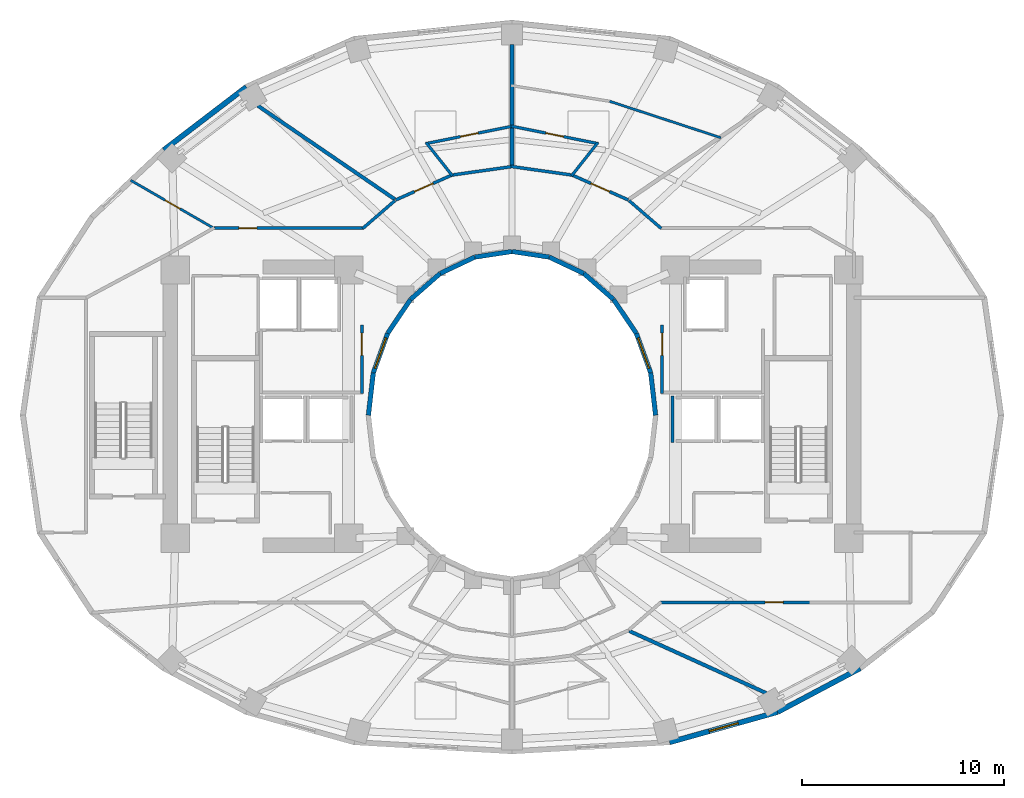
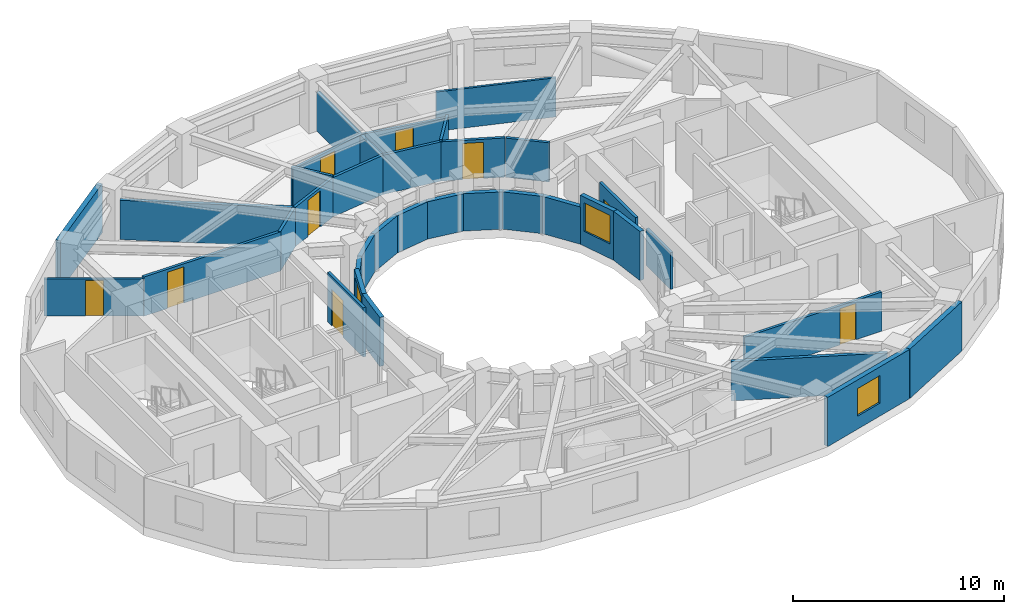
# One storey, part 5 of 9: 35 walls, 9 doors, 3 windows, 12 openings.
"""IFC4 building model written with IfcOpenShell, lengths in metres."""

from ifc_helpers import new_model, si_unit, direction, frame, frame_2d, origin, place, context, subcontext, project, spatial, rectangle, extrude, material, layer, layer_set, type_object, element, fill, save


model = new_model("IFC4")

# Units and contexts
model_context = context("Model", 3, precision=1e-05, world=origin(), true_north=direction((0.0, 1.0)))
body_context = subcontext(model_context, "Body", "Model", "MODEL_VIEW")
ifc_project = project(units=[si_unit("LENGTHUNIT", "METRE"), si_unit("AREAUNIT", "SQUARE_METRE"), si_unit("VOLUMEUNIT", "CUBIC_METRE"), si_unit("PLANEANGLEUNIT", "RADIAN"), si_unit("MASSUNIT", "GRAM", prefix="KILO")], contexts=[model_context])

# Site, building, storey
site_placement = place(None, origin())
site = spatial("IfcSite", under=ifc_project, at=site_placement, CompositionType="ELEMENT")
building_placement = place(site_placement, origin())
building = spatial("IfcBuilding", under=site, at=building_placement, Name="Solvane Sanctuary Tower", CompositionType="ELEMENT")
storey_placement = place(building_placement, frame((0.0, 0.0, 113.5)))
storey = spatial("IfcBuildingStorey", under=building, at=storey_placement, Name="L34", CompositionType="ELEMENT", Elevation=113.5)

# Wall, opening, door
ifc_material_1 = material(Name="Acoustic Gypsum Partition Board")
ifc_layer_1 = layer(ifc_material_1, 0.14990234375, Name="Acoustic Gypsum Partition Board")
ifc_layer_set_1 = layer_set([ifc_layer_1], Name="Acoustic Gypsum Partition Board")
wall_type_1 = type_object("IfcWallType", Name="Wall W-CORR-150", PredefinedType="PARTITIONING", material=ifc_layer_set_1)
wall_1_placement = place(storey_placement, frame((24.550048828125, 24.080078125, 0.0), z_axis=(0.0, 0.0, 1.0), x_axis=(0.0, 1.0, 0.0)))
wall_1 = element("IfcWall", 1, at=wall_1_placement, inside=storey, type_object=wall_type_1, Name="L34 West Firefighting Lobby East Wall", PredefinedType="PARTITIONING", context=body_context, shape_type="SweptSolid", body=[
    extrude(rectangle(XDim=3.39990234375, YDim=0.14990234375, at=frame_2d((1.699951171875, 0.0))), origin(), (0.0, 0.0, 1.0), 2.85498046875),
])
opening_1_placement = place(wall_1_placement, frame((1.893798828125, 0.0, 0.0)))
opening_1 = element("IfcOpeningElement", 2, at=opening_1_placement, cuts=wall_1, Name="Opening D-L34-04", PredefinedType="OPENING", context=body_context, shape_type="SweptSolid", body=[
    extrude(rectangle(XDim=1.10009765625, YDim=2.10009765625, at=frame_2d((0.550048828125, 1.050048828125))), frame((0.0, 0.0849609375, 0.0), z_axis=(0.0, -1.0, 0.0), x_axis=(1.0, 0.0, 0.0)), (0.0, 0.0, 1.0), 0.169921875),
])
ifc_material_2 = material(Name="Architectural Stainless Steel 316", Category="steel")
door_type_1 = type_object("IfcDoorType", Name="Door D-FFL", OperationType="NOTDEFINED", PredefinedType="DOOR", material=ifc_material_2)
door_1_placement = place(opening_1_placement, origin())
door_1 = element("IfcDoor", 3, at=door_1_placement, inside=storey, type_object=door_type_1, Name="L34 West Firefighting Lobby Fire Door", OperationType="SINGLE_SWING_LEFT", OverallHeight=2.10009765625, OverallWidth=1.10009765625, PredefinedType="DOOR", context=body_context, shape_type="SweptSolid", body=[
    extrude(rectangle(XDim=1.10009765625, YDim=2.10009765625, at=frame_2d((0.550048828125, 1.050048828125))), frame((0.0, 0.02490234375, 0.0), z_axis=(0.0, -1.0, 0.0), x_axis=(1.0, 0.0, 0.0)), (0.0, 0.0, 1.0), 0.050048828125),
])
fill(opening_1, door_1)

wall_2_placement = place(storey_placement, frame((39.449951171875, 24.080078125, 0.0), z_axis=(0.0, 0.0, 1.0), x_axis=(0.0, 1.0, 0.0)))
wall_2 = element("IfcWall", 4, at=wall_2_placement, inside=storey, type_object=wall_type_1, Name="L34 East Firefighting Lobby West Wall", PredefinedType="PARTITIONING", context=body_context, shape_type="SweptSolid", body=[
    extrude(rectangle(XDim=3.39990234375, YDim=0.14990234375, at=frame_2d((1.699951171875, 0.0))), origin(), (0.0, 0.0, 1.0), 2.85498046875),
])
opening_2_placement = place(wall_2_placement, frame((1.893798828125, 0.0, 0.0)))
opening_2 = element("IfcOpeningElement", 5, at=opening_2_placement, cuts=wall_2, Name="Opening D-L34-05", PredefinedType="OPENING", context=body_context, shape_type="SweptSolid", body=[
    extrude(rectangle(XDim=1.10009765625, YDim=2.10009765625, at=frame_2d((0.550048828125, 1.050048828125))), frame((0.0, 0.0849609375, 0.0), z_axis=(0.0, -1.0, 0.0), x_axis=(1.0, 0.0, 0.0)), (0.0, 0.0, 1.0), 0.169921875),
])
door_2_placement = place(opening_2_placement, origin())
door_2 = element("IfcDoor", 6, at=door_2_placement, inside=storey, type_object=door_type_1, Name="L34 East Firefighting Lobby Fire Door", OperationType="SINGLE_SWING_RIGHT", OverallHeight=2.10009765625, OverallWidth=1.10009765625, PredefinedType="DOOR", context=body_context, shape_type="SweptSolid", body=[
    extrude(rectangle(XDim=1.10009765625, YDim=2.10009765625, at=frame_2d((0.550048828125, 1.050048828125))), frame((0.0, 0.02490234375, 0.0), z_axis=(0.0, -1.0, 0.0), x_axis=(1.0, 0.0, 0.0)), (0.0, 0.0, 1.0), 0.050048828125),
])
fill(opening_2, door_2)

# Walls
for number, where, z_axis, x_axis, name in (
    (7, (37.806640625, 33.64208984375, 0.0), (0.0, 0.0, 1.0), (0.756055312247, -0.654507727092, 0.0), "L34 NE Corner Throat Wall"),
    (8, (26.193359375, 33.64208984375, 0.0), (0.0, 0.0, 1.0), (-0.756055312247, -0.654507727092, 0.0), "L34 NW Corner Throat Wall"),
):
    element("IfcWall", number, at=place(storey_placement, frame(where, z_axis=z_axis, x_axis=x_axis)), inside=storey, type_object=wall_type_1, Name=name, PredefinedType="PARTITIONING", context=body_context, shape_type="SweptSolid", body=[
        extrude(rectangle(XDim=2.11083984375, YDim=0.14990234375, at=frame_2d((1.055419921875, 0.0))), origin(), (0.0, 0.0, 1.0), 2.27197265625),
    ])

# Wall, opening, door
wall_3_placement = place(storey_placement, frame((17.14990234375, 32.280029296875, 0.0), z_axis=(0.0, 0.0, 1.0), x_axis=(1.0, 0.0, 0.0)))
wall_3 = element("IfcWall", 9, at=wall_3_placement, inside=storey, type_object=wall_type_1, Name="L34 NW Corner Corridor Wall", PredefinedType="PARTITIONING", context=body_context, shape_type="SweptSolid", body=[
    extrude(rectangle(XDim=7.52001953125, YDim=0.14990234375, at=frame_2d((3.760009765625, 0.0))), origin(), (0.0, 0.0, 1.0), 2.27197265625),
])
opening_3_placement = place(wall_3_placement, frame((1.300048828125, 0.0, 0.0)))
opening_3 = element("IfcOpeningElement", 10, at=opening_3_placement, cuts=wall_3, Name="Opening D-L34-14", PredefinedType="OPENING", context=body_context, shape_type="SweptSolid", body=[
    extrude(rectangle(XDim=0.89990234375, YDim=2.10009765625, at=frame_2d((0.449951171875, 1.050048828125))), frame((0.0, 0.0849609375, 0.0), z_axis=(0.0, -1.0, 0.0), x_axis=(1.0, 0.0, 0.0)), (0.0, 0.0, 1.0), 0.169921875),
])
ifc_material_3 = material(Name="Engineered Tropical Hardwood", Category="wood")
door_type_2 = type_object("IfcDoorType", Name="Door D-WET-900", OperationType="NOTDEFINED", PredefinedType="DOOR", material=ifc_material_3)
door_3_placement = place(opening_3_placement, origin())
door_3 = element("IfcDoor", 11, at=door_3_placement, inside=storey, type_object=door_type_2, Name="L34 NW Corner Salon Door", OperationType="SINGLE_SWING_LEFT", OverallHeight=2.10009765625, OverallWidth=0.89990234375, PredefinedType="DOOR", context=body_context, shape_type="SweptSolid", body=[
    extrude(rectangle(XDim=0.89990234375, YDim=2.10009765625, at=frame_2d((0.449951171875, 1.050048828125))), frame((0.0, 0.02490234375, 0.0), z_axis=(0.0, -1.0, 0.0), x_axis=(1.0, 0.0, 0.0)), (0.0, 0.0, 1.0), 0.050048828125),
])
fill(opening_3, door_3)

wall_4_placement = place(storey_placement, frame((39.330078125, 13.719970703125, 0.0), z_axis=(0.0, 0.0, 1.0), x_axis=(1.0, 0.0, 0.0)))
wall_4 = element("IfcWall", 12, at=wall_4_placement, inside=storey, type_object=wall_type_1, Name="L34 SE Corner Corridor Wall", PredefinedType="PARTITIONING", context=body_context, shape_type="SweptSolid", body=[
    extrude(rectangle(XDim=7.52001953125, YDim=0.14990234375, at=frame_2d((3.760009765625, 0.0))), origin(), (0.0, 0.0, 1.0), 2.27197265625),
])
opening_4_placement = place(wall_4_placement, frame((5.219970703125, 0.0, 0.0)))
opening_4 = element("IfcOpeningElement", 13, at=opening_4_placement, cuts=wall_4, Name="Opening D-L34-16", PredefinedType="OPENING", context=body_context, shape_type="SweptSolid", body=[
    extrude(rectangle(XDim=0.89990234375, YDim=2.10009765625, at=frame_2d((0.449951171875, 1.050048828125))), frame((0.0, 0.0849609375, 0.0), z_axis=(0.0, -1.0, 0.0), x_axis=(1.0, 0.0, 0.0)), (0.0, 0.0, 1.0), 0.169921875),
])
door_4_placement = place(opening_4_placement, origin())
door_4 = element("IfcDoor", 14, at=door_4_placement, inside=storey, type_object=door_type_2, Name="L34 SE Corner Salon Door", OperationType="SINGLE_SWING_LEFT", OverallHeight=2.10009765625, OverallWidth=0.89990234375, PredefinedType="DOOR", context=body_context, shape_type="SweptSolid", body=[
    extrude(rectangle(XDim=0.89990234375, YDim=2.10009765625, at=frame_2d((0.449951171875, 1.050048828125))), frame((0.0, 0.02490234375, 0.0), z_axis=(0.0, -1.0, 0.0), x_axis=(1.0, 0.0, 0.0)), (0.0, 0.0, 1.0), 0.050048828125),
])
fill(opening_4, door_4)

# Wall
wall_5_placement = place(storey_placement, frame((35.03369140625, 34.90283203125, 0.0), z_axis=(0.0, 0.0, 1.0), x_axis=(-0.990234434447, 0.139412211929, 0.0)))
element("IfcWall", 15, at=wall_5_placement, inside=storey, type_object=wall_type_1, Name="L34 En-suite Inner Wall N1", PredefinedType="PARTITIONING", context=body_context, shape_type="SweptSolid", body=[
    extrude(rectangle(XDim=3.11376953125, YDim=0.14990234375, at=frame_2d((1.556884765625, 0.0))), origin(), (0.0, 0.0, 1.0), 2.27197265625),
])

# Wall, opening, door
wall_6_placement = place(storey_placement, frame((37.77197265625, 33.673828125, 0.0), z_axis=(0.0, 0.0, 1.0), x_axis=(-0.914324470734, 0.404982422108, 0.0)))
wall_6 = element("IfcWall", 16, at=wall_6_placement, inside=storey, type_object=wall_type_1, Name="L34 Unit Corridor Wall N1", PredefinedType="PARTITIONING", context=body_context, shape_type="SweptSolid", body=[
    extrude(rectangle(XDim=3.0576171875, YDim=0.14990234375, at=frame_2d((1.52880859375, 0.0))), origin(), (0.0, 0.0, 1.0), 2.27197265625),
])
opening_5_placement = place(wall_6_placement, frame((1.02880859375, 0.0, 0.0)))
opening_5 = element("IfcOpeningElement", 17, at=opening_5_placement, cuts=wall_6, Name="Opening D-L34-21", PredefinedType="OPENING", context=body_context, shape_type="SweptSolid", body=[
    extrude(rectangle(XDim=1.0, YDim=2.10009765625, at=frame_2d((0.5, 1.050048828125))), frame((0.0, 0.0849609375, 0.0), z_axis=(0.0, -1.0, 0.0), x_axis=(1.0, 0.0, 0.0)), (0.0, 0.0, 1.0), 0.169921875),
])
door_type_3 = type_object("IfcDoorType", Name="Door D-UNIT", OperationType="NOTDEFINED", PredefinedType="DOOR", material=ifc_material_3)
door_5_placement = place(opening_5_placement, origin())
door_5 = element("IfcDoor", 18, at=door_5_placement, inside=storey, type_object=door_type_3, Name="L34 Unit Entrance Door N1", OperationType="SINGLE_SWING_RIGHT", OverallHeight=2.10009765625, OverallWidth=1.0, PredefinedType="DOOR", context=body_context, shape_type="SweptSolid", body=[
    extrude(rectangle(XDim=1.0, YDim=2.10009765625, at=frame_2d((0.5, 1.050048828125))), frame((0.0, 0.02490234375, 0.0), z_axis=(0.0, -1.0, 0.0), x_axis=(1.0, 0.0, 0.0)), (0.0, 0.0, 1.0), 0.050048828125),
])
fill(opening_5, door_5)

# Wall
wall_7_placement = place(storey_placement, frame((32.049560546875, 35.3369140625, 0.0), z_axis=(0.0, 0.0, 1.0), x_axis=(-0.990234434447, -0.139412211929, 0.0)))
element("IfcWall", 19, at=wall_7_placement, inside=storey, type_object=wall_type_1, Name="L34 En-suite Inner Wall N2", PredefinedType="PARTITIONING", context=body_context, shape_type="SweptSolid", body=[
    extrude(rectangle(XDim=3.11376953125, YDim=0.14990234375, at=frame_2d((1.556884765625, 0.0))), origin(), (0.0, 0.0, 1.0), 2.27197265625),
])

# Wall, opening, door
wall_8_placement = place(storey_placement, frame((29.023681640625, 34.912109375, 0.0), z_axis=(0.0, 0.0, 1.0), x_axis=(-0.914324470734, -0.404982422108, 0.0)))
wall_8 = element("IfcWall", 20, at=wall_8_placement, inside=storey, type_object=wall_type_1, Name="L34 Unit Corridor Wall N2", PredefinedType="PARTITIONING", context=body_context, shape_type="SweptSolid", body=[
    extrude(rectangle(XDim=3.0576171875, YDim=0.14990234375, at=frame_2d((1.52880859375, 0.0))), origin(), (0.0, 0.0, 1.0), 2.27197265625),
])
opening_6_placement = place(wall_8_placement, frame((1.02880859375, 0.0, 0.0)))
opening_6 = element("IfcOpeningElement", 21, at=opening_6_placement, cuts=wall_8, Name="Opening D-L34-23", PredefinedType="OPENING", context=body_context, shape_type="SweptSolid", body=[
    extrude(rectangle(XDim=1.0, YDim=2.10009765625, at=frame_2d((0.5, 1.050048828125))), frame((0.0, 0.0849609375, 0.0), z_axis=(0.0, -1.0, 0.0), x_axis=(1.0, 0.0, 0.0)), (0.0, 0.0, 1.0), 0.169921875),
])
door_6_placement = place(opening_6_placement, origin())
door_6 = element("IfcDoor", 22, at=door_6_placement, inside=storey, type_object=door_type_3, Name="L34 Unit Entrance Door N2", OperationType="SINGLE_SWING_RIGHT", OverallHeight=2.10009765625, OverallWidth=1.0, PredefinedType="DOOR", context=body_context, shape_type="SweptSolid", body=[
    extrude(rectangle(XDim=1.0, YDim=2.10009765625, at=frame_2d((0.5, 1.050048828125))), frame((0.0, 0.02490234375, 0.0), z_axis=(0.0, -1.0, 0.0), x_axis=(1.0, 0.0, 0.0)), (0.0, 0.0, 1.0), 0.050048828125),
])
fill(opening_6, door_6)

# Wall
ifc_material_4 = material(Name="Precast concrete C40/50", Category="concrete")
ifc_layer_2 = layer(ifc_material_4, 0.260009765625, Name="Precast concrete C40/50")
ifc_layer_set_2 = layer_set([ifc_layer_2], Name="Precast concrete C40/50")
wall_type_2 = type_object("IfcWallType", Name="Wall W-EXT-250", PredefinedType="STANDARD", material=ifc_layer_set_2)
wall_9_placement = place(storey_placement, frame((18.82666015625, 39.278076171875, 0.0), z_axis=(0.0, 0.0, 1.0), x_axis=(-0.794809810864, -0.606858603427, 0.0)))
element("IfcWall", 23, at=wall_9_placement, inside=storey, type_object=wall_type_2, Name="L34 Ceramic-Printed Facade Wall 08", PredefinedType="STANDARD", context=body_context, shape_type="SweptSolid", body=[
    extrude(rectangle(XDim=5.149169921875, YDim=0.260009765625, at=frame_2d((2.57470703125, 0.0))), origin(), (0.0, 0.0, 1.0), 2.85009765625),
])

# Wall, opening, window
wall_10_placement = place(storey_placement, frame((39.81640625, 6.7783203125, 0.0), z_axis=(0.0, 0.0, 1.0), x_axis=(0.962938491413, 0.269721081407, 0.0)))
wall_10 = element("IfcWall", 24, at=wall_10_placement, inside=storey, type_object=wall_type_2, Name="L34 Ceramic-Printed Facade Wall 19", PredefinedType="STANDARD", context=body_context, shape_type="SweptSolid", body=[
    extrude(rectangle(XDim=5.563232421875, YDim=0.260009765625, at=frame_2d((2.78173828125, 0.0))), origin(), (0.0, 0.0, 1.0), 2.85009765625),
])
opening_7_placement = place(wall_10_placement, frame((2.031494140625, 0.0, 0.75)))
opening_7 = element("IfcOpeningElement", 25, at=opening_7_placement, cuts=wall_10, Name="Opening WN-OPER-1500", PredefinedType="OPENING", context=body_context, shape_type="SweptSolid", body=[
    extrude(rectangle(XDim=1.5, YDim=1.60009765625, at=frame_2d((0.75, 0.800048828125))), frame((0.0, 0.139892578125, 0.0), z_axis=(0.0, -1.0, 0.0), x_axis=(1.0, 0.0, 0.0)), (0.0, 0.0, 1.0), 0.280029296875),
])
ifc_material_5 = material(Name="Dark Ceramic-Fritted Low-E Glass", Category="glass")
window_type_1 = type_object("IfcWindowType", Name="Window WN-OPER-1500", PartitioningType="SINGLE_PANEL", PredefinedType="WINDOW", material=ifc_material_5)
window_1_placement = place(opening_7_placement, origin())
window_1 = element("IfcWindow", 26, at=window_1_placement, inside=storey, type_object=window_type_1, Name="L34 Operable Facade Window 19", OverallHeight=1.60009765625, OverallWidth=1.5, PartitioningType="SINGLE_PANEL", PredefinedType="WINDOW", context=body_context, shape_type="SweptSolid", body=[
    extrude(rectangle(XDim=1.5, YDim=1.60009765625, at=frame_2d((0.75, 0.800048828125))), frame((0.0, 0.030029296875, 0.0), z_axis=(0.0, -1.0, 0.0), x_axis=(1.0, 0.0, 0.0)), (0.0, 0.0, 1.0), 0.06005859375),
])
fill(opening_7, window_1)

# Walls
wall_11_placement = place(storey_placement, frame((45.17333984375, 8.27880859375, 0.0), z_axis=(0.0, 0.0, 1.0), x_axis=(0.883668636807, 0.4681129568, 0.0)))
element("IfcWall", 27, at=wall_11_placement, inside=storey, type_object=wall_type_2, Name="L34 Ceramic-Printed Facade Wall 20", PredefinedType="STANDARD", context=body_context, shape_type="SweptSolid", body=[
    extrude(rectangle(XDim=4.63134765625, YDim=0.260009765625, at=frame_2d((2.315673828125, 0.0))), origin(), (0.0, 0.0, 1.0), 2.85009765625),
])
ifc_layer_3 = layer(ifc_material_4, 0.22998046875, Name="Precast concrete C40/50")
ifc_layer_set_3 = layer_set([ifc_layer_3], Name="Precast concrete C40/50")
wall_type_3 = type_object("IfcWallType", Name="Wall W-EXT-SP220", PredefinedType="STANDARD", material=ifc_layer_set_3)
wall_12_placement = place(storey_placement, frame((39.1201171875, 23.0, 0.0), z_axis=(0.0, 0.0, 1.0), x_axis=(-0.114711713601, 0.993398823617, 0.0)))
element("IfcWall", 28, at=wall_12_placement, inside=storey, type_object=wall_type_3, Name="L34 Central Light-Well Wall 00", PredefinedType="STANDARD", context=body_context, shape_type="SweptSolid", body=[
    extrude(rectangle(XDim=2.115478515625, YDim=0.22998046875, at=frame_2d((1.0576171875, 0.0))), origin(), (0.0, 0.0, 1.0), 2.840087890625),
])

# Wall, opening, window
wall_13_placement = place(storey_placement, frame((38.87744140625, 25.1015625, 0.0), z_axis=(0.0, 0.0, 1.0), x_axis=(-0.341423187295, 0.93990968033, 0.0)))
wall_13 = element("IfcWall", 29, at=wall_13_placement, inside=storey, type_object=wall_type_3, Name="L34 Central Light-Well Wall 01", PredefinedType="STANDARD", context=body_context, shape_type="SweptSolid", body=[
    extrude(rectangle(XDim=2.083740234375, YDim=0.22998046875, at=frame_2d((1.0419921875, 0.0))), origin(), (0.0, 0.0, 1.0), 2.840087890625),
])
opening_8_placement = place(wall_13_placement, frame((0.24169921875, 0.0, 0.85009765625)))
opening_8 = element("IfcOpeningElement", 30, at=opening_8_placement, cuts=wall_13, Name="Opening WN-WELL-1600", PredefinedType="OPENING", context=body_context, shape_type="SweptSolid", body=[
    extrude(rectangle(XDim=1.60009765625, YDim=1.64990234375, at=frame_2d((0.800048828125, 0.824951171875))), frame((0.0, 0.125, 0.0), z_axis=(0.0, -1.0, 0.0), x_axis=(1.0, 0.0, 0.0)), (0.0, 0.0, 1.0), 0.25),
])
ifc_material_6 = material(Name="Clear Laminated Light-Well Glass", Category="glass")
window_type_2 = type_object("IfcWindowType", Name="Window WN-WELL-1600", PartitioningType="SINGLE_PANEL", PredefinedType="WINDOW", material=ifc_material_6)
window_2_placement = place(opening_8_placement, origin())
window_2 = element("IfcWindow", 31, at=window_2_placement, inside=storey, type_object=window_type_2, Name="L34 Light-Well Daylight Window 01", OverallHeight=1.64990234375, OverallWidth=1.60009765625, PartitioningType="SINGLE_PANEL", PredefinedType="WINDOW", context=body_context, shape_type="SweptSolid", body=[
    extrude(rectangle(XDim=1.60009765625, YDim=1.64990234375, at=frame_2d((0.800048828125, 0.824951171875))), frame((0.0, 0.030029296875, 0.0), z_axis=(0.0, -1.0, 0.0), x_axis=(1.0, 0.0, 0.0)), (0.0, 0.0, 1.0), 0.06005859375),
])
fill(opening_8, window_2)

# Walls
wall_14_placement = place(storey_placement, frame((38.166015625, 27.06005859375, 0.0), z_axis=(0.0, 0.0, 1.0), x_axis=(-0.558197800898, 0.829707909492, 0.0)))
element("IfcWall", 32, at=wall_14_placement, inside=storey, type_object=wall_type_3, Name="L34 Central Light-Well Wall 02", PredefinedType="STANDARD", context=body_context, shape_type="SweptSolid", body=[
    extrude(rectangle(XDim=2.02685546875, YDim=0.22998046875, at=frame_2d((1.013427734375, 0.0))), origin(), (0.0, 0.0, 1.0), 2.159912109375),
])
wall_15_placement = place(storey_placement, frame((37.03466796875, 28.74169921875, 0.0), z_axis=(0.0, 0.0, 1.0), x_axis=(-0.752576694707, 0.658504607869, 0.0)))
element("IfcWall", 33, at=wall_15_placement, inside=storey, type_object=wall_type_3, Name="L34 Central Light-Well Wall 03", PredefinedType="STANDARD", context=body_context, shape_type="SweptSolid", body=[
    extrude(rectangle(XDim=1.95947265625, YDim=0.22998046875, at=frame_2d((0.979736328125, 0.0))), origin(), (0.0, 0.0, 1.0), 2.159912109375),
])
wall_16_placement = place(storey_placement, frame((35.56005859375, 30.031982421875, 0.0), z_axis=(0.0, 0.0, 1.0), x_axis=(-0.904179699603, 0.427152280606, 0.0)))
element("IfcWall", 34, at=wall_16_placement, inside=storey, type_object=wall_type_3, Name="L34 Central Light-Well Wall 04", PredefinedType="STANDARD", context=body_context, shape_type="SweptSolid", body=[
    extrude(rectangle(XDim=1.899169921875, YDim=0.22998046875, at=frame_2d((0.94970703125, 0.0))), origin(), (0.0, 0.0, 1.0), 2.159912109375),
])
for number, where, z_axis, x_axis, name in (
    (35, (33.8427734375, 30.84326171875, 0.0), (0.0, 0.0, 1.0), (-0.988901730308, 0.148571086668, 0.0), "L34 Central Light-Well Wall 05"),
    (36, (32.0, 31.1201171875, 0.0), (0.0, 0.0, 1.0), (-0.988901730308, -0.148571086668, 0.0), "L34 Central Light-Well Wall 06"),
):
    element("IfcWall", number, at=place(storey_placement, frame(where, z_axis=z_axis, x_axis=x_axis)), inside=storey, type_object=wall_type_3, Name=name, PredefinedType="STANDARD", context=body_context, shape_type="SweptSolid", body=[
        extrude(rectangle(XDim=1.863525390625, YDim=0.22998046875, at=frame_2d((0.931640625, 0.0))), origin(), (0.0, 0.0, 1.0), 2.159912109375),
    ])
wall_17_placement = place(storey_placement, frame((30.1572265625, 30.84326171875, 0.0), z_axis=(0.0, 0.0, 1.0), x_axis=(-0.904179699603, -0.427152280606, 0.0)))
element("IfcWall", 37, at=wall_17_placement, inside=storey, type_object=wall_type_3, Name="L34 Central Light-Well Wall 07", PredefinedType="STANDARD", context=body_context, shape_type="SweptSolid", body=[
    extrude(rectangle(XDim=1.899169921875, YDim=0.22998046875, at=frame_2d((0.94970703125, 0.0))), origin(), (0.0, 0.0, 1.0), 2.159912109375),
])
wall_18_placement = place(storey_placement, frame((28.43994140625, 30.031982421875, 0.0), z_axis=(0.0, 0.0, 1.0), x_axis=(-0.752576694707, -0.658504607869, 0.0)))
element("IfcWall", 38, at=wall_18_placement, inside=storey, type_object=wall_type_3, Name="L34 Central Light-Well Wall 08", PredefinedType="STANDARD", context=body_context, shape_type="SweptSolid", body=[
    extrude(rectangle(XDim=1.95947265625, YDim=0.22998046875, at=frame_2d((0.979736328125, 0.0))), origin(), (0.0, 0.0, 1.0), 2.159912109375),
])
wall_19_placement = place(storey_placement, frame((26.96533203125, 28.74169921875, 0.0), z_axis=(0.0, 0.0, 1.0), x_axis=(-0.558197800898, -0.829707909492, 0.0)))
element("IfcWall", 39, at=wall_19_placement, inside=storey, type_object=wall_type_3, Name="L34 Central Light-Well Wall 09", PredefinedType="STANDARD", context=body_context, shape_type="SweptSolid", body=[
    extrude(rectangle(XDim=2.02685546875, YDim=0.22998046875, at=frame_2d((1.013427734375, 0.0))), origin(), (0.0, 0.0, 1.0), 2.159912109375),
])

# Wall, opening, window
wall_20_placement = place(storey_placement, frame((25.833984375, 27.06005859375, 0.0), z_axis=(0.0, 0.0, 1.0), x_axis=(-0.341423187295, -0.93990968033, 0.0)))
wall_20 = element("IfcWall", 40, at=wall_20_placement, inside=storey, type_object=wall_type_3, Name="L34 Central Light-Well Wall 10", PredefinedType="STANDARD", context=body_context, shape_type="SweptSolid", body=[
    extrude(rectangle(XDim=2.083740234375, YDim=0.22998046875, at=frame_2d((1.0419921875, 0.0))), origin(), (0.0, 0.0, 1.0), 2.840087890625),
])
opening_9_placement = place(wall_20_placement, frame((0.24169921875, 0.0, 0.85009765625)))
opening_9 = element("IfcOpeningElement", 41, at=opening_9_placement, cuts=wall_20, Name="Opening WN-WELL-1600", PredefinedType="OPENING", context=body_context, shape_type="SweptSolid", body=[
    extrude(rectangle(XDim=1.60009765625, YDim=1.64990234375, at=frame_2d((0.800048828125, 0.824951171875))), frame((0.0, 0.125, 0.0), z_axis=(0.0, -1.0, 0.0), x_axis=(1.0, 0.0, 0.0)), (0.0, 0.0, 1.0), 0.25),
])
window_3_placement = place(opening_9_placement, origin())
window_3 = element("IfcWindow", 42, at=window_3_placement, inside=storey, type_object=window_type_2, Name="L34 Light-Well Daylight Window 10", OverallHeight=1.64990234375, OverallWidth=1.60009765625, PartitioningType="SINGLE_PANEL", PredefinedType="WINDOW", context=body_context, shape_type="SweptSolid", body=[
    extrude(rectangle(XDim=1.60009765625, YDim=1.64990234375, at=frame_2d((0.800048828125, 0.824951171875))), frame((0.0, 0.030029296875, 0.0), z_axis=(0.0, -1.0, 0.0), x_axis=(1.0, 0.0, 0.0)), (0.0, 0.0, 1.0), 0.06005859375),
])
fill(opening_9, window_3)

# Wall
wall_21_placement = place(storey_placement, frame((25.12255859375, 25.1015625, 0.0), z_axis=(0.0, 0.0, 1.0), x_axis=(-0.114711713601, -0.993398823617, 0.0)))
element("IfcWall", 43, at=wall_21_placement, inside=storey, type_object=wall_type_3, Name="L34 Central Light-Well Wall 11", PredefinedType="STANDARD", context=body_context, shape_type="SweptSolid", body=[
    extrude(rectangle(XDim=2.115478515625, YDim=0.22998046875, at=frame_2d((1.0576171875, 0.0))), origin(), (0.0, 0.0, 1.0), 2.840087890625),
])

# Wall, opening, door
ifc_layer_4 = layer(ifc_material_1, 0.1201171875, Name="Acoustic Gypsum Partition Board")
ifc_layer_set_4 = layer_set([ifc_layer_4], Name="Acoustic Gypsum Partition Board")
wall_type_4 = type_object("IfcWallType", Name="Wall W-MOV-100", PredefinedType="MOVABLE", material=ifc_layer_set_4)
wall_22_placement = place(storey_placement, frame((17.243408203125, 32.2548828125, 0.0), z_axis=(0.0, 0.0, 1.0), x_axis=(-0.86631866632, 0.499491710027, 0.0)))
wall_22 = element("IfcWall", 44, at=wall_22_placement, inside=storey, type_object=wall_type_4, Name="L34 NW Corner Suite Partition", PredefinedType="MOVABLE", context=body_context, shape_type="SweptSolid", body=[
    extrude(rectangle(XDim=4.7939453125, YDim=0.1201171875, at=frame_2d((2.39697265625, 0.0))), origin(), (0.0, 0.0, 1.0), 2.14208984375),
])
opening_10_placement = place(wall_22_placement, frame((1.9716796875, 0.0, 0.0)))
opening_10 = element("IfcOpeningElement", 45, at=opening_10_placement, cuts=wall_22, Name="Opening D-L34-13", PredefinedType="OPENING", context=body_context, shape_type="SweptSolid", body=[
    extrude(rectangle(XDim=0.85009765625, YDim=2.050048828125, at=frame_2d((0.425048828125, 1.02490234375))), frame((0.0, 0.070068359375, 0.0), z_axis=(0.0, -1.0, 0.0), x_axis=(1.0, 0.0, 0.0)), (0.0, 0.0, 1.0), 0.14013671875),
])
door_type_4 = type_object("IfcDoorType", Name="Door D-RISER", OperationType="NOTDEFINED", PredefinedType="DOOR", material=ifc_material_2)
door_7_placement = place(opening_10_placement, origin())
door_7 = element("IfcDoor", 46, at=door_7_placement, inside=storey, type_object=door_type_4, Name="L34 NW Corner Suite Door", OperationType="SINGLE_SWING_RIGHT", OverallHeight=2.050048828125, OverallWidth=0.85009765625, PredefinedType="DOOR", context=body_context, shape_type="SweptSolid", body=[
    extrude(rectangle(XDim=0.85009765625, YDim=2.050048828125, at=frame_2d((0.425048828125, 1.02490234375))), frame((0.0, 0.02490234375, 0.0), z_axis=(0.0, -1.0, 0.0), x_axis=(1.0, 0.0, 0.0)), (0.0, 0.0, 1.0), 0.050048828125),
])
fill(opening_10, door_7)

# Walls
wall_23_placement = place(storey_placement, frame((42.353515625, 36.76318359375, 0.0), z_axis=(0.0, 0.0, 1.0), x_axis=(-0.950307315297, 0.311313357396, 0.0)))
element("IfcWall", 47, at=wall_23_placement, inside=storey, type_object=wall_type_4, Name="L34 Suite Sitting Lounge Partition N1", PredefinedType="MOVABLE", context=body_context, shape_type="SweptSolid", body=[
    extrude(rectangle(XDim=5.8173828125, YDim=0.1201171875, at=frame_2d((2.90869140625, 0.0))), origin(), (0.0, 0.0, 1.0), 2.27197265625),
])
ifc_material_7 = material(Name="Concrete C50/60", Category="concrete")
ifc_layer_5 = layer(ifc_material_7, 0.14990234375, Name="Concrete C50/60")
ifc_layer_set_5 = layer_set([ifc_layer_5], Name="Concrete C50/60")
wall_type_5 = type_object("IfcWallType", Name="Wall W-SHAFT-150", PredefinedType="SOLIDWALL", material=ifc_layer_set_5)
wall_24_placement = place(storey_placement, frame((39.969970703125, 21.639892578125, 0.0), z_axis=(0.0, 0.0, 1.0), x_axis=(0.0, 1.0, 0.0)))
element("IfcWall", 48, at=wall_24_placement, inside=storey, type_object=wall_type_5, Name="L34 PH-2 Lift Shaft Wall S1", PredefinedType="SOLIDWALL", context=body_context, shape_type="SweptSolid", body=[
    extrude(rectangle(XDim=2.320068359375, YDim=0.14990234375, at=frame_2d((1.16015625, 0.0))), origin(), (0.0, 0.0, 1.0), 2.1201171875),
])
ifc_layer_6 = layer(ifc_material_1, 0.179931640625, Name="Acoustic Gypsum Partition Board")
ifc_layer_set_6 = layer_set([ifc_layer_6], Name="Acoustic Gypsum Partition Board")
wall_type_6 = type_object("IfcWallType", Name="Wall W-UNIT-180", PredefinedType="PARTITIONING", material=ifc_layer_set_6)
wall_25_placement = place(storey_placement, frame((32.0, 35.385009765625, 0.0), z_axis=(0.0, 0.0, 1.0), x_axis=(0.0, 1.0, 0.0)))
element("IfcWall", 49, at=wall_25_placement, inside=storey, type_object=wall_type_6, Name="L34 Radial Compartment Wall 090", PredefinedType="PARTITIONING", context=body_context, shape_type="SweptSolid", body=[
    extrude(rectangle(XDim=5.989990234375, YDim=0.179931640625, at=frame_2d((2.9951171875, 0.0))), origin(), (0.0, 0.0, 1.0), 2.27197265625),
])
wall_26_placement = place(storey_placement, frame((26.189697265625, 33.708984375, 0.0), z_axis=(0.0, 0.0, 1.0), x_axis=(-0.825850521911, 0.563889098546, 0.0)))
element("IfcWall", 50, at=wall_26_placement, inside=storey, type_object=wall_type_6, Name="L34 Radial Compartment Wall 120", PredefinedType="PARTITIONING", context=body_context, shape_type="SweptSolid", body=[
    extrude(rectangle(XDim=8.228271484375, YDim=0.179931640625, at=frame_2d((4.1142578125, 0.0))), origin(), (0.0, 0.0, 1.0), 2.27197265625),
])
wall_27_placement = place(storey_placement, frame((37.815185546875, 12.29931640625, 0.0), z_axis=(0.0, 0.0, 1.0), x_axis=(0.910720488346, -0.413023234342, 0.0)))
element("IfcWall", 51, at=wall_27_placement, inside=storey, type_object=wall_type_6, Name="L34 Radial Compartment Wall 300", PredefinedType="PARTITIONING", context=body_context, shape_type="SweptSolid", body=[
    extrude(rectangle(XDim=7.456298828125, YDim=0.179931640625, at=frame_2d((3.72802734375, 0.0))), origin(), (0.0, 0.0, 1.0), 2.27197265625),
])
ifc_layer_7 = layer(ifc_material_1, 0.139892578125, Name="Acoustic Gypsum Partition Board")
ifc_layer_set_7 = layer_set([ifc_layer_7], Name="Acoustic Gypsum Partition Board")
wall_type_7 = type_object("IfcWallType", Name="Wall W-WET-140", PredefinedType="PLUMBINGWALL", material=ifc_layer_set_7)
wall_28_placement = place(storey_placement, frame((34.953125, 34.87060546875, 0.0), z_axis=(0.0, 0.0, 1.0), x_axis=(0.620702944366, 0.784045824462, 0.0)))
element("IfcWall", 52, at=wall_28_placement, inside=storey, type_object=wall_type_7, Name="L34 En-suite Side Partition N1", PredefinedType="PLUMBINGWALL", context=body_context, shape_type="SweptSolid", body=[
    extrude(rectangle(XDim=2.10009765625, YDim=0.139892578125, at=frame_2d((1.050048828125, 0.0))), origin(), (0.0, 0.0, 1.0), 2.385009765625),
])

# Wall, opening, door
wall_29_placement = place(storey_placement, frame((36.274658203125, 36.468017578125, 0.0), z_axis=(0.0, 0.0, 1.0), x_axis=(-0.980270771279, 0.197659340725, 0.0)))
wall_29 = element("IfcWall", 53, at=wall_29_placement, inside=storey, type_object=wall_type_7, Name="L34 En-suite Bedroom Wall N1", PredefinedType="PLUMBINGWALL", context=body_context, shape_type="SweptSolid", body=[
    extrude(rectangle(XDim=4.41064453125, YDim=0.139892578125, at=frame_2d((2.205322265625, 0.0))), origin(), (0.0, 0.0, 1.0), 2.27197265625),
])
opening_11_placement = place(wall_29_placement, frame((1.75537109375, 0.0, 0.0)))
opening_11 = element("IfcOpeningElement", 54, at=opening_11_placement, cuts=wall_29, Name="Opening D-L34-20", PredefinedType="OPENING", context=body_context, shape_type="SweptSolid", body=[
    extrude(rectangle(XDim=0.89990234375, YDim=2.10009765625, at=frame_2d((0.449951171875, 1.050048828125))), frame((0.0, 0.079833984375, 0.0), z_axis=(0.0, -1.0, 0.0), x_axis=(1.0, 0.0, 0.0)), (0.0, 0.0, 1.0), 0.159912109375),
])
door_8_placement = place(opening_11_placement, origin())
door_8 = element("IfcDoor", 55, at=door_8_placement, inside=storey, type_object=door_type_2, Name="L34 En-suite Bathroom Door N1", OperationType="SINGLE_SWING_LEFT", OverallHeight=2.10009765625, OverallWidth=0.89990234375, PredefinedType="DOOR", context=body_context, shape_type="SweptSolid", body=[
    extrude(rectangle(XDim=0.89990234375, YDim=2.10009765625, at=frame_2d((0.449951171875, 1.050048828125))), frame((0.0, 0.02490234375, 0.0), z_axis=(0.0, -1.0, 0.0), x_axis=(1.0, 0.0, 0.0)), (0.0, 0.0, 1.0), 0.050048828125),
])
fill(opening_11, door_8)

# Wall
wall_30_placement = place(storey_placement, frame((29.046875, 34.87060546875, 0.0), z_axis=(0.0, 0.0, 1.0), x_axis=(-0.620702944366, 0.784045824462, 0.0)))
element("IfcWall", 56, at=wall_30_placement, inside=storey, type_object=wall_type_7, Name="L34 En-suite Side Partition N2", PredefinedType="PLUMBINGWALL", context=body_context, shape_type="SweptSolid", body=[
    extrude(rectangle(XDim=2.10009765625, YDim=0.139892578125, at=frame_2d((1.050048828125, 0.0))), origin(), (0.0, 0.0, 1.0), 2.385009765625),
])

# Wall, opening, door
wall_31_placement = place(storey_placement, frame((32.049072265625, 37.33984375, 0.0), z_axis=(0.0, 0.0, 1.0), x_axis=(-0.980270771279, -0.197659340725, 0.0)))
wall_31 = element("IfcWall", 57, at=wall_31_placement, inside=storey, type_object=wall_type_7, Name="L34 En-suite Bedroom Wall N2", PredefinedType="PLUMBINGWALL", context=body_context, shape_type="SweptSolid", body=[
    extrude(rectangle(XDim=4.41064453125, YDim=0.139892578125, at=frame_2d((2.205322265625, 0.0))), origin(), (0.0, 0.0, 1.0), 2.27197265625),
])
opening_12_placement = place(wall_31_placement, frame((1.75537109375, 0.0, 0.0)))
opening_12 = element("IfcOpeningElement", 58, at=opening_12_placement, cuts=wall_31, Name="Opening D-L34-22", PredefinedType="OPENING", context=body_context, shape_type="SweptSolid", body=[
    extrude(rectangle(XDim=0.89990234375, YDim=2.10009765625, at=frame_2d((0.449951171875, 1.050048828125))), frame((0.0, 0.079833984375, 0.0), z_axis=(0.0, -1.0, 0.0), x_axis=(1.0, 0.0, 0.0)), (0.0, 0.0, 1.0), 0.159912109375),
])
door_9_placement = place(opening_12_placement, origin())
door_9 = element("IfcDoor", 59, at=door_9_placement, inside=storey, type_object=door_type_2, Name="L34 En-suite Bathroom Door N2", OperationType="SINGLE_SWING_LEFT", OverallHeight=2.10009765625, OverallWidth=0.89990234375, PredefinedType="DOOR", context=body_context, shape_type="SweptSolid", body=[
    extrude(rectangle(XDim=0.89990234375, YDim=2.10009765625, at=frame_2d((0.449951171875, 1.050048828125))), frame((0.0, 0.02490234375, 0.0), z_axis=(0.0, -1.0, 0.0), x_axis=(1.0, 0.0, 0.0)), (0.0, 0.0, 1.0), 0.050048828125),
])
fill(opening_12, door_9)

save(model, "model.ifc")
